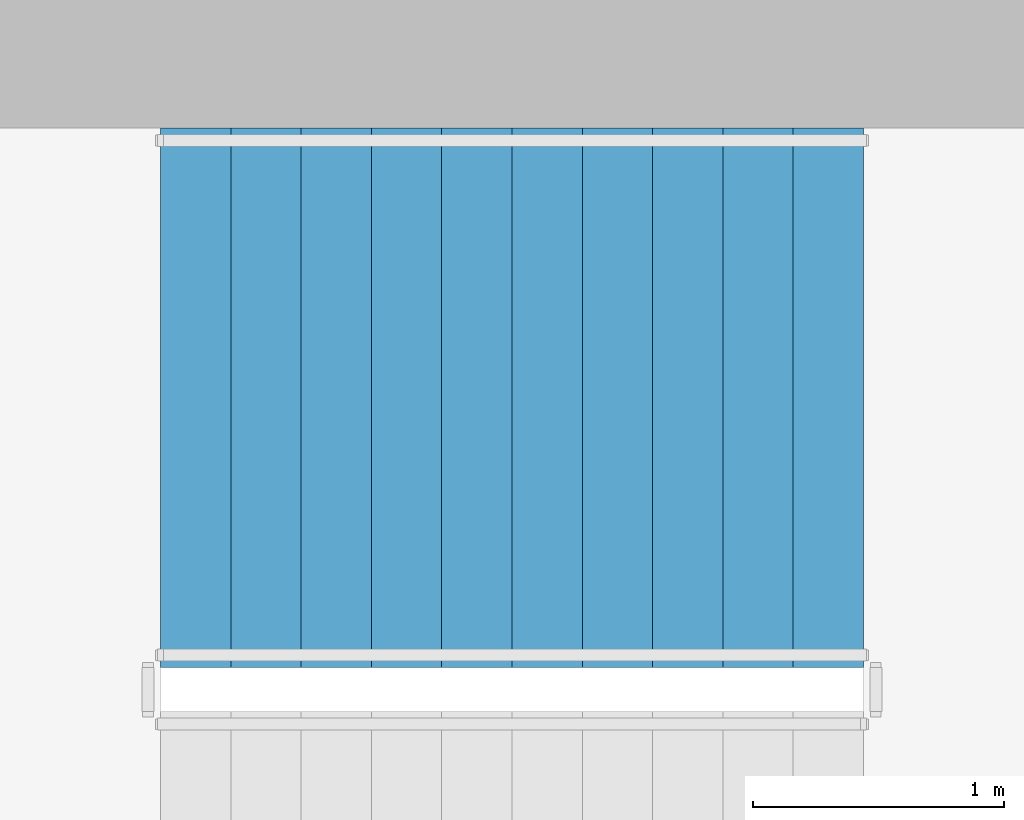
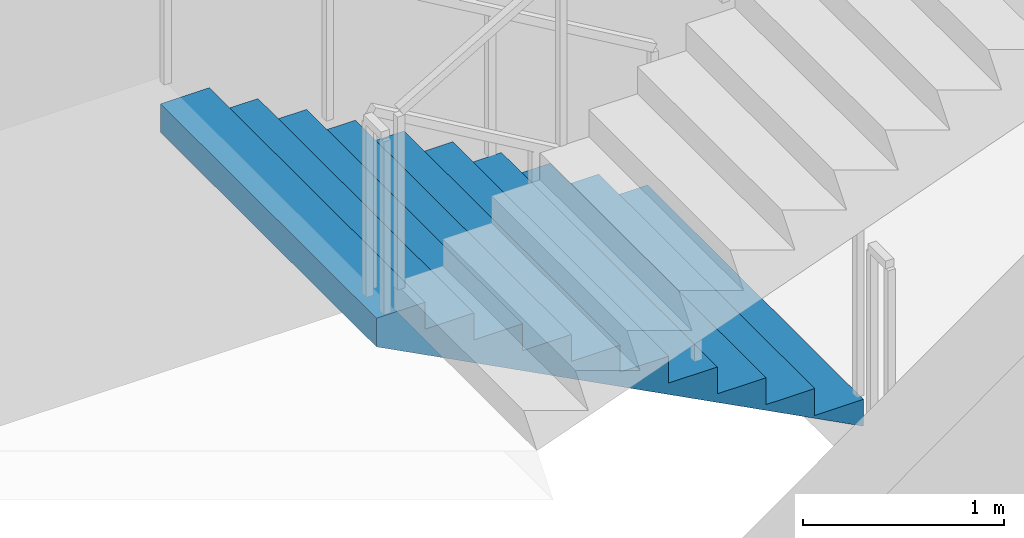
# One storey, part 12 of 20: 1 stair flight, 1 element without a shape of its own.
"""IFC4 building model written with IfcOpenShell, lengths in metres."""

from ifc_helpers import new_model, si_unit, direction, frame, origin, place, context, subcontext, project, spatial, triangles, material, type_object, element, aggregate, save


model = new_model("IFC4")

# Units and contexts
model_context = context("Model", 3, precision=1e-05, world=origin(), true_north=direction((0.0, 1.0)))
body_context = subcontext(model_context, "Body", "Model", "MODEL_VIEW")
ifc_project = project(units=[si_unit("LENGTHUNIT", "METRE"), si_unit("AREAUNIT", "SQUARE_METRE"), si_unit("VOLUMEUNIT", "CUBIC_METRE"), si_unit("PLANEANGLEUNIT", "RADIAN"), si_unit("MASSUNIT", "GRAM", prefix="KILO")], contexts=[model_context])

# Site, building, storey
site_placement = place(None, origin())
site = spatial("IfcSite", under=ifc_project, at=site_placement, CompositionType="ELEMENT")
building_placement = place(site_placement, origin())
building = spatial("IfcBuilding", under=site, at=building_placement, Name="Cypress Arch Tower", CompositionType="ELEMENT")
storey_placement = place(building_placement, frame((0.0, 0.0, 95.10009765625)))
storey = spatial("IfcBuildingStorey", under=building, at=storey_placement, Name="L18", CompositionType="ELEMENT", Elevation=95.10009765625)

# Stair, stair flight
ifc_material_1 = material(Name="Concrete C40/50", Category="concrete")
stair_type = type_object("IfcStairType", Name="Exit stair ES1636-215", PredefinedType="HALF_TURN_STAIR", material=ifc_material_1)
stair_placement = place(storey_placement, origin())
stair = element("IfcStair", 1, at=stair_placement, inside=storey, type_object=stair_type, Name="L18 Exit stair B", PredefinedType="HALF_TURN_STAIR")
ifc_material_2 = material(Name="Concrete C40/50", Category="concrete")
stair_flight_type = type_object("IfcStairFlightType", Name="Exit stair flight ES1636-215", PredefinedType="STRAIGHT", material=ifc_material_2)
stair_flight_placement = place(storey_placement, frame((-22.27490234375, 13.72509765625, 0.0), z_axis=(0.0, 0.0, 1.0), x_axis=(-1.0, 0.0, 0.0)))
stair_flight = element("IfcStairFlight", 2, at=stair_flight_placement, type_object=stair_flight_type, Name="B flight 1", NumberOfRisers=11, NumberOfTreads=10, PredefinedType="STRAIGHT", RiserHeight=0.163636364, TreadLength=0.28, context=body_context, shape_type="Tessellation", body=[
    triangles([(0.0, -1.074951171875, 0.0), (0.000244140625, -1.074951171875, 0.03271484375), (0.00048828125, -1.074951171875, 0.0654296875), (0.00048828125, -1.074951171875, 0.09814453125), (0.000244140625, -1.074951171875, 0.130859375), (0.0, -1.074951171875, 0.16357421875), (0.280029296875, -1.074951171875, 0.16357421875), (0.280029296875, -1.074951171875, 0.327392578125), (0.56005859375, -1.074951171875, 0.327392578125), (0.56005859375, -1.074951171875, 0.490966796875), (0.840087890625, -1.074951171875, 0.490966796875), (0.840087890625, -1.074951171875, 0.654541015625), (1.1201171875, -1.074951171875, 0.654541015625), (1.1201171875, -1.074951171875, 0.818115234375), (1.39990234375, -1.074951171875, 0.818115234375), (1.39990234375, -1.074951171875, 0.98193359375), (1.679931640625, -1.074951171875, 0.98193359375), (1.679931640625, -1.074951171875, 1.1455078125), (1.9599609375, -1.074951171875, 1.1455078125), (1.9599609375, -1.074951171875, 1.30908203125), (2.239990234375, -1.074951171875, 1.30908203125), (2.239990234375, -1.074951171875, 1.47265625), (2.52001953125, -1.074951171875, 1.47265625), (2.52001953125, -1.074951171875, 1.636474609375), (2.800048828125, -1.074951171875, 1.636474609375), (2.7998046875, -1.074951171875, 1.601806640625), (2.799560546875, -1.074951171875, 1.56689453125), (2.799560546875, -1.074951171875, 1.5322265625), (2.7998046875, -1.074951171875, 1.497314453125), (2.800048828125, -1.074951171875, 1.462646484375), (2.800048828125, 1.074951171875, 1.462646484375), (2.7998046875, 1.074951171875, 1.497314453125), (2.799560546875, 1.074951171875, 1.5322265625), (2.799560546875, 1.074951171875, 1.56689453125), (2.7998046875, 1.074951171875, 1.601806640625), (2.800048828125, 1.074951171875, 1.636474609375), (2.52001953125, 1.074951171875, 1.636474609375), (2.52001953125, 1.074951171875, 1.47265625), (2.239990234375, 1.074951171875, 1.47265625), (2.239990234375, 1.074951171875, 1.30908203125), (1.9599609375, 1.074951171875, 1.30908203125), (1.9599609375, 1.074951171875, 1.1455078125), (1.679931640625, 1.074951171875, 1.1455078125), (1.679931640625, 1.074951171875, 0.98193359375), (1.39990234375, 1.074951171875, 0.98193359375), (1.39990234375, 1.074951171875, 0.818115234375), (1.1201171875, 1.074951171875, 0.818115234375), (1.1201171875, 1.074951171875, 0.654541015625), (0.840087890625, 1.074951171875, 0.654541015625), (0.840087890625, 1.074951171875, 0.490966796875), (0.56005859375, 1.074951171875, 0.490966796875), (0.56005859375, 1.074951171875, 0.327392578125), (0.280029296875, 1.074951171875, 0.327392578125), (0.280029296875, 1.074951171875, 0.16357421875), (0.0, 1.074951171875, 0.16357421875), (0.000244140625, 1.074951171875, 0.130859375), (0.00048828125, 1.074951171875, 0.09814453125), (0.00048828125, 1.074951171875, 0.0654296875), (0.000244140625, 1.074951171875, 0.03271484375), (0.0, 1.074951171875, 0.0), (2.7998046875, 0.0, 1.497314453125), (2.800048828125, 0.0, 1.462646484375), (2.799560546875, 0.0, 1.5322265625), (2.799560546875, 0.0, 1.56689453125), (2.7998046875, 0.0, 1.601806640625), (2.800048828125, 0.0, 1.636474609375), (2.52001953125, 0.0, 1.636474609375), (2.52001953125, 0.0, 1.47265625), (2.239990234375, 0.0, 1.47265625), (2.239990234375, 0.0, 1.30908203125), (1.9599609375, 0.0, 1.30908203125), (1.9599609375, 0.0, 1.1455078125), (1.679931640625, 0.0, 1.1455078125), (1.679931640625, 0.0, 0.98193359375), (1.39990234375, 0.0, 0.98193359375), (1.39990234375, 0.0, 0.818115234375), (1.1201171875, 0.0, 0.818115234375), (1.1201171875, 0.0, 0.654541015625), (0.840087890625, 0.0, 0.654541015625), (0.840087890625, 0.0, 0.490966796875), (0.56005859375, 0.0, 0.490966796875), (0.56005859375, 0.0, 0.327392578125), (0.280029296875, 0.0, 0.327392578125), (0.280029296875, 0.0, 0.16357421875), (0.0, 0.0, 0.16357421875), (0.000244140625, 0.0, 0.130859375), (0.00048828125, 0.0, 0.09814453125), (0.00048828125, 0.0, 0.0654296875), (0.000244140625, 0.0, 0.03271484375), (0.0, 0.0, 0.0)], [[30, 29, 24], [29, 28, 24], [28, 27, 24], [27, 26, 24], [26, 25, 24], [17, 16, 15], [9, 8, 7], [15, 14, 13], [23, 22, 21], [21, 20, 19], [19, 18, 17], [13, 12, 11], [11, 10, 9], [6, 5, 7], [5, 4, 7], [4, 3, 7], [3, 2, 7], [2, 1, 7], [30, 24, 23], [30, 23, 21], [30, 21, 19], [30, 19, 17], [30, 17, 15], [30, 15, 13], [30, 13, 11], [30, 11, 9], [30, 9, 7], [30, 7, 1], [31, 37, 32], [32, 37, 33], [33, 37, 34], [34, 37, 35], [35, 37, 36], [44, 46, 45], [52, 54, 53], [46, 48, 47], [38, 40, 39], [40, 42, 41], [42, 44, 43], [48, 50, 49], [50, 52, 51], [55, 54, 56], [56, 54, 57], [57, 54, 58], [58, 54, 59], [59, 54, 60], [31, 38, 37], [31, 40, 38], [31, 42, 40], [31, 44, 42], [31, 46, 44], [31, 48, 46], [31, 50, 48], [31, 52, 50], [31, 54, 52], [31, 60, 54], [62, 61, 29], [62, 29, 30], [31, 32, 61], [31, 61, 62], [61, 63, 28], [61, 28, 29], [32, 33, 63], [32, 63, 61], [63, 64, 27], [63, 27, 28], [33, 34, 64], [33, 64, 63], [64, 65, 26], [64, 26, 27], [34, 35, 65], [34, 65, 64], [65, 66, 25], [65, 25, 26], [35, 36, 66], [35, 66, 65], [66, 67, 24], [66, 24, 25], [36, 37, 67], [36, 67, 66], [67, 68, 23], [67, 23, 24], [37, 38, 68], [37, 68, 67], [68, 69, 22], [68, 22, 23], [38, 39, 69], [38, 69, 68], [69, 70, 21], [69, 21, 22], [39, 40, 70], [39, 70, 69], [70, 71, 20], [70, 20, 21], [40, 41, 71], [40, 71, 70], [71, 72, 19], [71, 19, 20], [41, 42, 72], [41, 72, 71], [72, 73, 18], [72, 18, 19], [42, 43, 73], [42, 73, 72], [73, 74, 17], [73, 17, 18], [43, 44, 74], [43, 74, 73], [74, 75, 16], [74, 16, 17], [44, 45, 75], [44, 75, 74], [75, 76, 15], [75, 15, 16], [45, 46, 76], [45, 76, 75], [76, 77, 14], [76, 14, 15], [46, 47, 77], [46, 77, 76], [77, 78, 13], [77, 13, 14], [47, 48, 78], [47, 78, 77], [78, 79, 12], [78, 12, 13], [48, 49, 79], [48, 79, 78], [79, 80, 11], [79, 11, 12], [49, 50, 80], [49, 80, 79], [80, 81, 10], [80, 10, 11], [50, 51, 81], [50, 81, 80], [81, 82, 9], [81, 9, 10], [51, 52, 82], [51, 82, 81], [82, 83, 8], [82, 8, 9], [52, 53, 83], [52, 83, 82], [83, 84, 7], [83, 7, 8], [53, 54, 84], [53, 84, 83], [84, 85, 6], [84, 6, 7], [54, 55, 85], [54, 85, 84], [85, 86, 5], [85, 5, 6], [55, 56, 86], [55, 86, 85], [86, 87, 4], [86, 4, 5], [56, 57, 87], [56, 87, 86], [87, 88, 3], [87, 3, 4], [57, 58, 88], [57, 88, 87], [88, 89, 2], [88, 2, 3], [58, 59, 89], [58, 89, 88], [89, 90, 1], [89, 1, 2], [59, 60, 90], [59, 90, 89], [90, 62, 30], [90, 30, 1], [60, 31, 62], [60, 62, 90]], closed=True),
])
aggregate(stair, [stair_flight])

save(model, "model.ifc")
